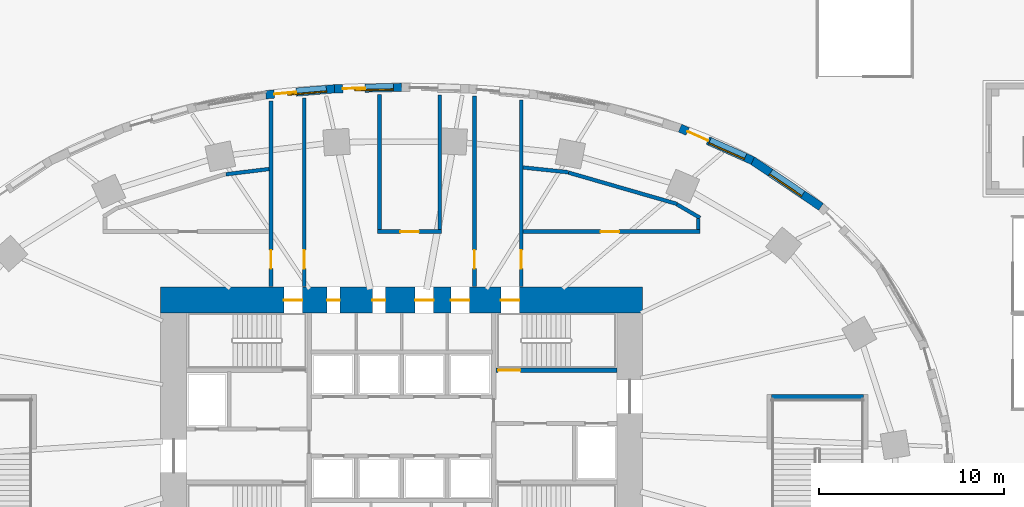
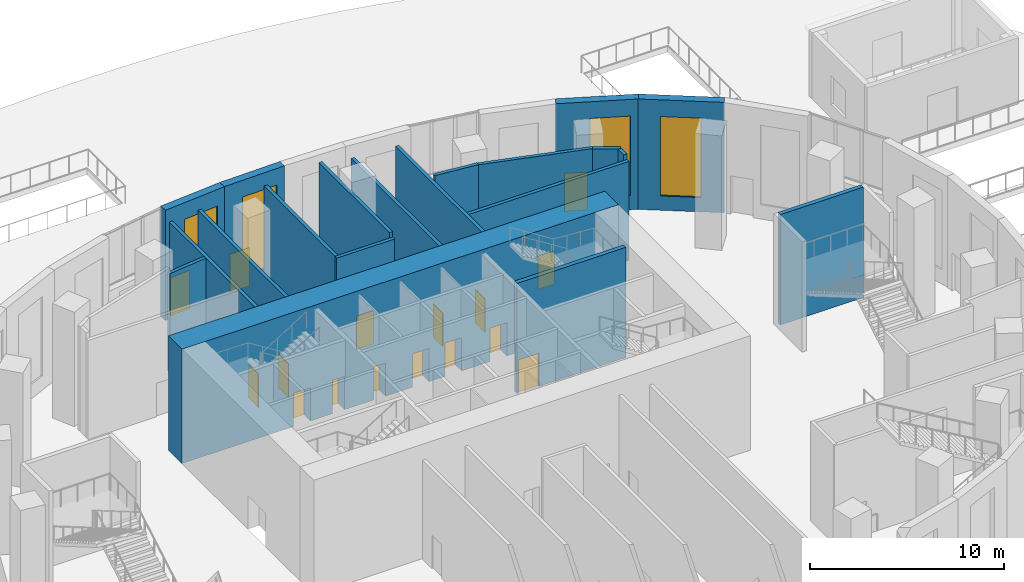
# One storey, part 15 of 27: 20 walls, 16 doors, 4 windows, 20 openings.
"""IFC4 building model written with IfcOpenShell, lengths in metres."""

from ifc_helpers import new_model, si_unit, direction, frame, frame_2d, origin, place, context, subcontext, project, spatial, rectangle, extrude, material, layer, layer_set, type_object, element, fill, save


model = new_model("IFC4")

# Units and contexts
model_context = context("Model", 3, precision=1e-05, world=origin(), true_north=direction((0.0, 1.0)))
body_context = subcontext(model_context, "Body", "Model", "MODEL_VIEW")
ifc_project = project(units=[si_unit("LENGTHUNIT", "METRE"), si_unit("AREAUNIT", "SQUARE_METRE"), si_unit("VOLUMEUNIT", "CUBIC_METRE"), si_unit("PLANEANGLEUNIT", "RADIAN"), si_unit("MASSUNIT", "GRAM", prefix="KILO")], contexts=[model_context])

# Site, building, storey
site_placement = place(None, origin())
site = spatial("IfcSite", under=ifc_project, at=site_placement, CompositionType="ELEMENT")
building_placement = place(site_placement, origin())
building = spatial("IfcBuilding", under=site, at=building_placement, Name="Rubra Terraces Tower", CompositionType="ELEMENT")
storey_placement = place(building_placement, origin())
storey = spatial("IfcBuildingStorey", under=building, at=storey_placement, Name="L00", CompositionType="ELEMENT", Elevation=0.0)

# Wall, opening, window
ifc_material_1 = material(Name="Brick masonry red-brown", Category="masonry")
ifc_layer_1 = layer(ifc_material_1, 0.449951171875)
ifc_layer_set_1 = layer_set([ifc_layer_1], Name="Brick masonry red-brown")
wall_type_1 = type_object("IfcWallType", Name="Brick facade wall 450", PredefinedType="SOLIDWALL", material=ifc_layer_set_1)
wall_1_placement = place(storey_placement, frame((22.61328125, 16.33447265625, 0.0), z_axis=(0.0, 0.0, 1.0), x_axis=(-0.828976924359, 0.559282807604, 0.0)))
wall_1 = element("IfcWall", 1, at=wall_1_placement, inside=storey, type_object=wall_type_1, Name="Facade wall L00 bay 5", PredefinedType="SOLIDWALL", context=body_context, shape_type="SweptSolid", body=[
    extrude(rectangle(XDim=4.479248046875, YDim=0.449951171875, at=frame_2d((2.23974609375, 0.0))), origin(), (0.0, 0.0, 1.0), 6.949951171875),
])
opening_1_placement = place(wall_1_placement, frame((1.189453125, 0.0, 0.89990234375)))
opening_1 = element("IfcOpeningElement", 2, at=opening_1_placement, cuts=wall_1, Name="Opening W2", PredefinedType="OPENING", context=body_context, shape_type="SweptSolid", body=[
    extrude(rectangle(XDim=2.10009765625, YDim=5.0, at=frame_2d((1.050048828125, 2.5))), frame((0.0, 0.23486328125, 0.0), z_axis=(0.0, -1.0, 0.0), x_axis=(1.0, 0.0, 0.0)), (0.0, 0.0, 1.0), 0.469970703125),
])
ifc_material_2 = material(Name="Clear glass in aluminium frame", Category="aluminium")
window_type = type_object("IfcWindowType", Name="Ground storey fixed window 2100 x 5000", PartitioningType="SINGLE_PANEL", PredefinedType="WINDOW", material=ifc_material_2)
window_1_placement = place(opening_1_placement, origin())
window_1 = element("IfcWindow", 3, at=window_1_placement, inside=storey, type_object=window_type, Name="Window L00 bay 5", OverallHeight=5.0, OverallWidth=2.10009765625, PartitioningType="SINGLE_PANEL", PredefinedType="WINDOW", context=body_context, shape_type="SweptSolid", body=[
    extrude(rectangle(XDim=2.10009765625, YDim=5.0, at=frame_2d((1.050048828125, 2.5))), frame((0.0, 0.135009765625, 0.0), z_axis=(0.0, -1.0, 0.0), x_axis=(1.0, 0.0, 0.0)), (0.0, 0.0, 1.0), 0.06005859375),
])
fill(opening_1, window_1)

# Wall, openings, door, window
wall_2_placement = place(storey_placement, frame((18.93408203125, 18.82080078125, 0.0), z_axis=(0.0, 0.0, 1.0), x_axis=(-0.912571415594, 0.408917365052, 0.0)))
wall_2 = element("IfcWall", 4, at=wall_2_placement, inside=storey, type_object=wall_type_1, Name="Facade wall L00 bay 6", PredefinedType="SOLIDWALL", context=body_context, shape_type="SweptSolid", body=[
    extrude(rectangle(XDim=4.301025390625, YDim=0.449951171875, at=frame_2d((2.150390625, 0.0))), origin(), (0.0, 0.0, 1.0), 6.949951171875),
])
opening_2_placement = place(wall_2_placement, frame((0.449951171875, 0.0, 0.89990234375)))
opening_2 = element("IfcOpeningElement", 5, at=opening_2_placement, cuts=wall_2, Name="Opening W2", PredefinedType="OPENING", context=body_context, shape_type="SweptSolid", body=[
    extrude(rectangle(XDim=2.10009765625, YDim=5.0, at=frame_2d((1.050048828125, 2.5))), frame((0.0, 0.23486328125, 0.0), z_axis=(0.0, -1.0, 0.0), x_axis=(1.0, 0.0, 0.0)), (0.0, 0.0, 1.0), 0.469970703125),
])
opening_3_placement = place(wall_2_placement, frame((2.651123046875, 0.0, 0.0)))
opening_3 = element("IfcOpeningElement", 6, at=opening_3_placement, cuts=wall_2, Name="Opening X2.04", PredefinedType="OPENING", context=body_context, shape_type="SweptSolid", body=[
    extrude(rectangle(XDim=1.199951171875, YDim=2.39990234375, at=frame_2d((0.60009765625, 1.199951171875))), frame((0.0, 0.23486328125, 0.0), z_axis=(0.0, -1.0, 0.0), x_axis=(1.0, 0.0, 0.0)), (0.0, 0.0, 1.0), 0.469970703125),
])
ifc_material_3 = material(Name="Glazed aluminium door leaf", Category="aluminium")
door_type_1 = type_object("IfcDoorType", Name="Exit door 1200 x 2400", OperationType="NOTDEFINED", PredefinedType="DOOR", material=ifc_material_3)
door_1_placement = place(opening_3_placement, frame((1.199951171875, 0.0, 0.0), z_axis=(0.0, 0.0, 1.0), x_axis=(-1.0, 0.0, 0.0)))
door_1 = element("IfcDoor", 7, at=door_1_placement, inside=storey, type_object=door_type_1, Name="Exit door 4", OperationType="SINGLE_SWING_RIGHT", OverallHeight=2.39990234375, OverallWidth=1.199951171875, PredefinedType="DOOR", context=body_context, shape_type="SweptSolid", body=[
    extrude(rectangle(XDim=1.199951171875, YDim=2.39990234375, at=frame_2d((0.60009765625, 1.199951171875))), frame((0.0, 0.02490234375, 0.0), z_axis=(0.0, -1.0, 0.0), x_axis=(1.0, 0.0, 0.0)), (0.0, 0.0, 1.0), 0.050048828125),
])
fill(opening_3, door_1)
window_2_placement = place(opening_2_placement, origin())
window_2 = element("IfcWindow", 8, at=window_2_placement, inside=storey, type_object=window_type, Name="Window L00 bay 6", OverallHeight=5.0, OverallWidth=2.10009765625, PartitioningType="SINGLE_PANEL", PredefinedType="WINDOW", context=body_context, shape_type="SweptSolid", body=[
    extrude(rectangle(XDim=2.10009765625, YDim=5.0, at=frame_2d((1.050048828125, 2.5))), frame((0.0, 0.135009765625, 0.0), z_axis=(0.0, -1.0, 0.0), x_axis=(1.0, 0.0, 0.0)), (0.0, 0.0, 1.0), 0.06005859375),
])
fill(opening_2, window_2)

wall_3_placement = place(storey_placement, frame((0.0048828125, 22.77490234375, 0.0), z_axis=(0.0, 0.0, 1.0), x_axis=(-0.999769941673, -0.0214490962, 0.0)))
wall_3 = element("IfcWall", 9, at=wall_3_placement, inside=storey, type_object=wall_type_1, Name="Facade wall L00 bay 11", PredefinedType="SOLIDWALL", context=body_context, shape_type="SweptSolid", body=[
    extrude(rectangle(XDim=3.630859375, YDim=0.449951171875, at=frame_2d((1.8154296875, 0.0))), origin(), (0.0, 0.0, 1.0), 6.949951171875),
])
opening_4_placement = place(wall_3_placement, frame((0.449951171875, 0.0, 0.89990234375)))
opening_4 = element("IfcOpeningElement", 10, at=opening_4_placement, cuts=wall_3, Name="Opening W2", PredefinedType="OPENING", context=body_context, shape_type="SweptSolid", body=[
    extrude(rectangle(XDim=2.10009765625, YDim=5.0, at=frame_2d((1.050048828125, 2.5))), frame((0.0, 0.23486328125, 0.0), z_axis=(0.0, -1.0, 0.0), x_axis=(1.0, 0.0, 0.0)), (0.0, 0.0, 1.0), 0.469970703125),
])
opening_5_placement = place(wall_3_placement, frame((1.980712890625, 0.0, 0.0)))
opening_5 = element("IfcOpeningElement", 11, at=opening_5_placement, cuts=wall_3, Name="Opening X2.06", PredefinedType="OPENING", context=body_context, shape_type="SweptSolid", body=[
    extrude(rectangle(XDim=1.199951171875, YDim=2.39990234375, at=frame_2d((0.60009765625, 1.199951171875))), frame((0.0, 0.23486328125, 0.0), z_axis=(0.0, -1.0, 0.0), x_axis=(1.0, 0.0, 0.0)), (0.0, 0.0, 1.0), 0.469970703125),
])
door_2_placement = place(opening_5_placement, frame((1.199951171875, 0.0, 0.0), z_axis=(0.0, 0.0, 1.0), x_axis=(-1.0, 0.0, 0.0)))
door_2 = element("IfcDoor", 12, at=door_2_placement, inside=storey, type_object=door_type_1, Name="Exit door 6", OperationType="SINGLE_SWING_LEFT", OverallHeight=2.39990234375, OverallWidth=1.199951171875, PredefinedType="DOOR", context=body_context, shape_type="SweptSolid", body=[
    extrude(rectangle(XDim=1.199951171875, YDim=2.39990234375, at=frame_2d((0.60009765625, 1.199951171875))), frame((0.0, 0.02490234375, 0.0), z_axis=(0.0, -1.0, 0.0), x_axis=(1.0, 0.0, 0.0)), (0.0, 0.0, 1.0), 0.050048828125),
])
fill(opening_5, door_2)
window_3_placement = place(opening_4_placement, origin())
window_3 = element("IfcWindow", 13, at=window_3_placement, inside=storey, type_object=window_type, Name="Window L00 bay 11", OverallHeight=5.0, OverallWidth=2.10009765625, PartitioningType="SINGLE_PANEL", PredefinedType="WINDOW", context=body_context, shape_type="SweptSolid", body=[
    extrude(rectangle(XDim=2.10009765625, YDim=5.0, at=frame_2d((1.050048828125, 2.5))), frame((0.0, 0.135009765625, 0.0), z_axis=(0.0, -1.0, 0.0), x_axis=(1.0, 0.0, 0.0)), (0.0, 0.0, 1.0), 0.06005859375),
])
fill(opening_4, window_3)

wall_4_placement = place(storey_placement, frame((-3.610595703125, 22.69775390625, 0.0), z_axis=(0.0, 0.0, 1.0), x_axis=(-0.996259982326, -0.086406293838, 0.0)))
wall_4 = element("IfcWall", 14, at=wall_4_placement, inside=storey, type_object=wall_type_1, Name="Facade wall L00 bay 12", PredefinedType="SOLIDWALL", context=body_context, shape_type="SweptSolid", body=[
    extrude(rectangle(XDim=3.726806640625, YDim=0.449951171875, at=frame_2d((1.86328125, 0.0))), origin(), (0.0, 0.0, 1.0), 6.949951171875),
])
opening_6_placement = place(wall_4_placement, frame((0.449951171875, 0.0, 0.89990234375)))
opening_6 = element("IfcOpeningElement", 15, at=opening_6_placement, cuts=wall_4, Name="Opening W2", PredefinedType="OPENING", context=body_context, shape_type="SweptSolid", body=[
    extrude(rectangle(XDim=2.10009765625, YDim=5.0, at=frame_2d((1.050048828125, 2.5))), frame((0.0, 0.23486328125, 0.0), z_axis=(0.0, -1.0, 0.0), x_axis=(1.0, 0.0, 0.0)), (0.0, 0.0, 1.0), 0.469970703125),
])
opening_7_placement = place(wall_4_placement, frame((2.076904296875, 0.0, 0.0)))
opening_7 = element("IfcOpeningElement", 16, at=opening_7_placement, cuts=wall_4, Name="Opening X2.07", PredefinedType="OPENING", context=body_context, shape_type="SweptSolid", body=[
    extrude(rectangle(XDim=1.199951171875, YDim=2.39990234375, at=frame_2d((0.60009765625, 1.199951171875))), frame((0.0, 0.23486328125, 0.0), z_axis=(0.0, -1.0, 0.0), x_axis=(1.0, 0.0, 0.0)), (0.0, 0.0, 1.0), 0.469970703125),
])
door_3_placement = place(opening_7_placement, frame((1.199951171875, 0.0, 0.0), z_axis=(0.0, 0.0, 1.0), x_axis=(-1.0, 0.0, 0.0)))
door_3 = element("IfcDoor", 17, at=door_3_placement, inside=storey, type_object=door_type_1, Name="Exit door 7", OperationType="SINGLE_SWING_LEFT", OverallHeight=2.39990234375, OverallWidth=1.199951171875, PredefinedType="DOOR", context=body_context, shape_type="SweptSolid", body=[
    extrude(rectangle(XDim=1.199951171875, YDim=2.39990234375, at=frame_2d((0.60009765625, 1.199951171875))), frame((0.0, 0.02490234375, 0.0), z_axis=(0.0, -1.0, 0.0), x_axis=(1.0, 0.0, 0.0)), (0.0, 0.0, 1.0), 0.050048828125),
])
fill(opening_7, door_3)
window_4_placement = place(opening_6_placement, origin())
window_4 = element("IfcWindow", 18, at=window_4_placement, inside=storey, type_object=window_type, Name="Window L00 bay 12", OverallHeight=5.0, OverallWidth=2.10009765625, PartitioningType="SINGLE_PANEL", PredefinedType="WINDOW", context=body_context, shape_type="SweptSolid", body=[
    extrude(rectangle(XDim=2.10009765625, YDim=5.0, at=frame_2d((1.050048828125, 2.5))), frame((0.0, 0.135009765625, 0.0), z_axis=(0.0, -1.0, 0.0), x_axis=(1.0, 0.0, 0.0)), (0.0, 0.0, 1.0), 0.06005859375),
])
fill(opening_6, window_4)

# Wall, openings, doors
ifc_material_4 = material(Name="Concrete C70", Category="concrete")
ifc_layer_2 = layer(ifc_material_4, 1.39990234375)
ifc_layer_set_2 = layer_set([ifc_layer_2], Name="Concrete C70")
wall_type_2 = type_object("IfcWallType", Name="CORE WALL 1400 C70", PredefinedType="SHEAR", material=ifc_layer_set_2)
wall_5_placement = place(storey_placement, frame((-13.0, 11.300048828125, 0.0), z_axis=(0.0, 0.0, 1.0), x_axis=(1.0, 0.0, 0.0)))
wall_5 = element("IfcWall", 19, at=wall_5_placement, inside=storey, type_object=wall_type_2, Name="CORE WALL N L00", PredefinedType="SHEAR", context=body_context, shape_type="SweptSolid", body=[
    extrude(rectangle(XDim=26.0, YDim=1.39990234375, at=frame_2d((13.0, 0.0))), origin(), (0.0, 0.0, 1.0), 7.199951171875),
])
opening_8_placement = place(wall_5_placement, frame((8.97509765625, 0.0, 0.0)))
opening_8 = element("IfcOpeningElement", 20, at=opening_8_placement, cuts=wall_5, Name="Opening L00.C25", PredefinedType="OPENING", context=body_context, shape_type="SweptSolid", body=[
    extrude(rectangle(XDim=0.699951171875, YDim=2.10009765625, at=frame_2d((0.35009765625, 1.050048828125))), frame((0.0, 0.7099609375, 0.0), z_axis=(0.0, -1.0, 0.0), x_axis=(1.0, 0.0, 0.0)), (0.0, 0.0, 1.0), 1.419921875),
])
opening_9_placement = place(wall_5_placement, frame((11.425048828125, 0.0, 0.0)))
opening_9 = element("IfcOpeningElement", 21, at=opening_9_placement, cuts=wall_5, Name="Opening L00.C26", PredefinedType="OPENING", context=body_context, shape_type="SweptSolid", body=[
    extrude(rectangle(XDim=0.699951171875, YDim=2.10009765625, at=frame_2d((0.35009765625, 1.050048828125))), frame((0.0, 0.7099609375, 0.0), z_axis=(0.0, -1.0, 0.0), x_axis=(1.0, 0.0, 0.0)), (0.0, 0.0, 1.0), 1.419921875),
])
opening_10_placement = place(wall_5_placement, frame((13.72509765625, 0.0, 0.0)))
opening_10 = element("IfcOpeningElement", 22, at=opening_10_placement, cuts=wall_5, Name="Opening L00.C27", PredefinedType="OPENING", context=body_context, shape_type="SweptSolid", body=[
    extrude(rectangle(XDim=1.0, YDim=2.10009765625, at=frame_2d((0.5, 1.050048828125))), frame((0.0, 0.7099609375, 0.0), z_axis=(0.0, -1.0, 0.0), x_axis=(1.0, 0.0, 0.0)), (0.0, 0.0, 1.0), 1.419921875),
])
opening_11_placement = place(wall_5_placement, frame((15.64990234375, 0.0, 0.0)))
opening_11 = element("IfcOpeningElement", 23, at=opening_11_placement, cuts=wall_5, Name="Opening L00.C28", PredefinedType="OPENING", context=body_context, shape_type="SweptSolid", body=[
    extrude(rectangle(XDim=1.0, YDim=2.10009765625, at=frame_2d((0.5, 1.050048828125))), frame((0.0, 0.7099609375, 0.0), z_axis=(0.0, -1.0, 0.0), x_axis=(1.0, 0.0, 0.0)), (0.0, 0.0, 1.0), 1.419921875),
])
opening_12_placement = place(wall_5_placement, frame((6.64990234375, 0.0, 0.0)))
opening_12 = element("IfcOpeningElement", 24, at=opening_12_placement, cuts=wall_5, Name="Opening L00.C30", PredefinedType="OPENING", context=body_context, shape_type="SweptSolid", body=[
    extrude(rectangle(XDim=1.0, YDim=2.10009765625, at=frame_2d((0.5, 1.050048828125))), frame((0.0, 0.7099609375, 0.0), z_axis=(0.0, -1.0, 0.0), x_axis=(1.0, 0.0, 0.0)), (0.0, 0.0, 1.0), 1.419921875),
])
opening_13_placement = place(wall_5_placement, frame((18.35009765625, 0.0, 0.0)))
opening_13 = element("IfcOpeningElement", 25, at=opening_13_placement, cuts=wall_5, Name="Opening L00.C31", PredefinedType="OPENING", context=body_context, shape_type="SweptSolid", body=[
    extrude(rectangle(XDim=1.0, YDim=2.10009765625, at=frame_2d((0.5, 1.050048828125))), frame((0.0, 0.7099609375, 0.0), z_axis=(0.0, -1.0, 0.0), x_axis=(1.0, 0.0, 0.0)), (0.0, 0.0, 1.0), 1.419921875),
])
ifc_material_5 = material(Name="Painted steel", Category="steel")
door_type_2 = type_object("IfcDoorType", Name="Fire door 1000x2100 single", OperationType="NOTDEFINED", PredefinedType="DOOR", material=ifc_material_5)
door_4_placement = place(opening_10_placement, origin())
door_4 = element("IfcDoor", 26, at=door_4_placement, inside=storey, type_object=door_type_2, Name="Tea point door", OperationType="SINGLE_SWING_LEFT", OverallHeight=2.10009765625, OverallWidth=1.0, PredefinedType="DOOR", context=body_context, shape_type="SweptSolid", body=[
    extrude(rectangle(XDim=1.0, YDim=2.10009765625, at=frame_2d((0.5, 1.050048828125))), frame((0.0, 0.02490234375, 0.0), z_axis=(0.0, -1.0, 0.0), x_axis=(1.0, 0.0, 0.0)), (0.0, 0.0, 1.0), 0.050048828125),
])
fill(opening_10, door_4)
door_5_placement = place(opening_11_placement, origin())
door_5 = element("IfcDoor", 27, at=door_5_placement, inside=storey, type_object=door_type_2, Name="Refuse room door", OperationType="SINGLE_SWING_RIGHT", OverallHeight=2.10009765625, OverallWidth=1.0, PredefinedType="DOOR", context=body_context, shape_type="SweptSolid", body=[
    extrude(rectangle(XDim=1.0, YDim=2.10009765625, at=frame_2d((0.5, 1.050048828125))), frame((0.0, 0.02490234375, 0.0), z_axis=(0.0, -1.0, 0.0), x_axis=(1.0, 0.0, 0.0)), (0.0, 0.0, 1.0), 0.050048828125),
])
fill(opening_11, door_5)
door_6_placement = place(opening_12_placement, origin())
door_6 = element("IfcDoor", 28, at=door_6_placement, inside=storey, type_object=door_type_2, Name="Stair S2 exit door", OperationType="SINGLE_SWING_RIGHT", OverallHeight=2.10009765625, OverallWidth=1.0, PredefinedType="DOOR", context=body_context, shape_type="SweptSolid", body=[
    extrude(rectangle(XDim=1.0, YDim=2.10009765625, at=frame_2d((0.5, 1.050048828125))), frame((0.0, 0.02490234375, 0.0), z_axis=(0.0, -1.0, 0.0), x_axis=(1.0, 0.0, 0.0)), (0.0, 0.0, 1.0), 0.050048828125),
])
fill(opening_12, door_6)
door_7_placement = place(opening_13_placement, origin())
door_7 = element("IfcDoor", 29, at=door_7_placement, inside=storey, type_object=door_type_2, Name="Stair S3 exit door", OperationType="SINGLE_SWING_LEFT", OverallHeight=2.10009765625, OverallWidth=1.0, PredefinedType="DOOR", context=body_context, shape_type="SweptSolid", body=[
    extrude(rectangle(XDim=1.0, YDim=2.10009765625, at=frame_2d((0.5, 1.050048828125))), frame((0.0, 0.02490234375, 0.0), z_axis=(0.0, -1.0, 0.0), x_axis=(1.0, 0.0, 0.0)), (0.0, 0.0, 1.0), 0.050048828125),
])
fill(opening_13, door_7)
door_type_3 = type_object("IfcDoorType", Name="Riser access door 700x2100 single", OperationType="NOTDEFINED", PredefinedType="DOOR", material=ifc_material_5)
door_8_placement = place(opening_8_placement, origin())
door_8 = element("IfcDoor", 30, at=door_8_placement, inside=storey, type_object=door_type_3, Name="Electrical riser room door", OperationType="SINGLE_SWING_LEFT", OverallHeight=2.10009765625, OverallWidth=0.699951171875, PredefinedType="DOOR", context=body_context, shape_type="SweptSolid", body=[
    extrude(rectangle(XDim=0.699951171875, YDim=2.10009765625, at=frame_2d((0.35009765625, 1.050048828125))), frame((0.0, 0.02490234375, 0.0), z_axis=(0.0, -1.0, 0.0), x_axis=(1.0, 0.0, 0.0)), (0.0, 0.0, 1.0), 0.050048828125),
])
fill(opening_8, door_8)
door_9_placement = place(opening_9_placement, origin())
door_9 = element("IfcDoor", 31, at=door_9_placement, inside=storey, type_object=door_type_3, Name="Telecoms room door", OperationType="SINGLE_SWING_RIGHT", OverallHeight=2.10009765625, OverallWidth=0.699951171875, PredefinedType="DOOR", context=body_context, shape_type="SweptSolid", body=[
    extrude(rectangle(XDim=0.699951171875, YDim=2.10009765625, at=frame_2d((0.35009765625, 1.050048828125))), frame((0.0, 0.02490234375, 0.0), z_axis=(0.0, -1.0, 0.0), x_axis=(1.0, 0.0, 0.0)), (0.0, 0.0, 1.0), 0.050048828125),
])
fill(opening_9, door_9)

# Wall, opening, door
ifc_material_6 = material(Name="Blockwork", Category="masonry")
ifc_layer_3 = layer(ifc_material_6, 0.199951171875)
ifc_layer_set_3 = layer_set([ifc_layer_3], Name="Blockwork")
wall_type_3 = type_object("IfcWallType", Name="Corridor partition 200 blockwork", PredefinedType="PARTITIONING", material=ifc_layer_set_3)
wall_6_placement = place(storey_placement, frame((-7.047119140625, 12.050048828125, 0.0), z_axis=(0.0, 0.0, 1.0), x_axis=(0.0, 1.0, 0.0)))
wall_6 = element("IfcWall", 32, at=wall_6_placement, inside=storey, type_object=wall_type_3, Name="Partition wall", PredefinedType="PARTITIONING", context=body_context, shape_type="SweptSolid", body=[
    extrude(rectangle(XDim=9.97998046875, YDim=0.199951171875, at=frame_2d((4.989990234375, 0.0))), origin(), (0.0, 0.0, 1.0), 6.22998046875),
])
opening_14_placement = place(wall_6_placement, frame((0.949951171875, 0.0, 0.0)))
opening_14 = element("IfcOpeningElement", 33, at=opening_14_placement, cuts=wall_6, Name="Opening DB1", PredefinedType="OPENING", context=body_context, shape_type="SweptSolid", body=[
    extrude(rectangle(XDim=1.0, YDim=2.10009765625, at=frame_2d((0.5, 1.050048828125))), frame((0.0, 0.10986328125, 0.0), z_axis=(0.0, -1.0, 0.0), x_axis=(1.0, 0.0, 0.0)), (0.0, 0.0, 1.0), 0.219970703125),
])
ifc_material_7 = material(Name="Painted timber", Category="wood")
door_type_4 = type_object("IfcDoorType", Name="Door 1000x2100 single", OperationType="NOTDEFINED", PredefinedType="DOOR", material=ifc_material_7)
door_10_placement = place(opening_14_placement, origin())
door_10 = element("IfcDoor", 34, at=door_10_placement, inside=storey, type_object=door_type_4, Name="Door L00-06", OperationType="SINGLE_SWING_LEFT", OverallHeight=2.10009765625, OverallWidth=1.0, PredefinedType="DOOR", context=body_context, shape_type="SweptSolid", body=[
    extrude(rectangle(XDim=1.0, YDim=2.10009765625, at=frame_2d((0.5, 1.050048828125))), frame((0.0, 0.02490234375, 0.0), z_axis=(0.0, -1.0, 0.0), x_axis=(1.0, 0.0, 0.0)), (0.0, 0.0, 1.0), 0.050048828125),
])
fill(opening_14, door_10)

wall_7_placement = place(storey_placement, frame((-5.25, 22.2099609375, 0.0), z_axis=(0.0, 0.0, 1.0), x_axis=(0.0, -1.0, 0.0)))
wall_7 = element("IfcWall", 35, at=wall_7_placement, inside=storey, type_object=wall_type_3, Name="Partition wall", PredefinedType="PARTITIONING", context=body_context, shape_type="SweptSolid", body=[
    extrude(rectangle(XDim=10.159912109375, YDim=0.199951171875, at=frame_2d((5.080078125, 0.0))), origin(), (0.0, 0.0, 1.0), 6.22998046875),
])
opening_15_placement = place(wall_7_placement, frame((8.2099609375, 0.0, 0.0)))
opening_15 = element("IfcOpeningElement", 36, at=opening_15_placement, cuts=wall_7, Name="Opening DB1", PredefinedType="OPENING", context=body_context, shape_type="SweptSolid", body=[
    extrude(rectangle(XDim=1.0, YDim=2.10009765625, at=frame_2d((0.5, 1.050048828125))), frame((0.0, 0.10986328125, 0.0), z_axis=(0.0, -1.0, 0.0), x_axis=(1.0, 0.0, 0.0)), (0.0, 0.0, 1.0), 0.219970703125),
])
door_11_placement = place(opening_15_placement, origin())
door_11 = element("IfcDoor", 37, at=door_11_placement, inside=storey, type_object=door_type_4, Name="Door L00-05", OperationType="SINGLE_SWING_LEFT", OverallHeight=2.10009765625, OverallWidth=1.0, PredefinedType="DOOR", context=body_context, shape_type="SweptSolid", body=[
    extrude(rectangle(XDim=1.0, YDim=2.10009765625, at=frame_2d((0.5, 1.050048828125))), frame((0.0, 0.02490234375, 0.0), z_axis=(0.0, -1.0, 0.0), x_axis=(1.0, 0.0, 0.0)), (0.0, 0.0, 1.0), 0.050048828125),
])
fill(opening_15, door_11)

wall_8_placement = place(storey_placement, frame((3.926025390625, 12.050048828125, 0.0), z_axis=(0.0, 0.0, 1.0), x_axis=(0.0, 1.0, 0.0)))
wall_8 = element("IfcWall", 38, at=wall_8_placement, inside=storey, type_object=wall_type_3, Name="Partition wall", PredefinedType="PARTITIONING", context=body_context, shape_type="SweptSolid", body=[
    extrude(rectangle(XDim=10.251953125, YDim=0.199951171875, at=frame_2d((5.1259765625, 0.0))), origin(), (0.0, 0.0, 1.0), 6.22998046875),
])
opening_16_placement = place(wall_8_placement, frame((0.949951171875, 0.0, 0.0)))
opening_16 = element("IfcOpeningElement", 39, at=opening_16_placement, cuts=wall_8, Name="Opening DB1", PredefinedType="OPENING", context=body_context, shape_type="SweptSolid", body=[
    extrude(rectangle(XDim=1.0, YDim=2.10009765625, at=frame_2d((0.5, 1.050048828125))), frame((0.0, 0.10986328125, 0.0), z_axis=(0.0, -1.0, 0.0), x_axis=(1.0, 0.0, 0.0)), (0.0, 0.0, 1.0), 0.219970703125),
])
door_12_placement = place(opening_16_placement, origin())
door_12 = element("IfcDoor", 40, at=door_12_placement, inside=storey, type_object=door_type_4, Name="Door L00-08", OperationType="SINGLE_SWING_LEFT", OverallHeight=2.10009765625, OverallWidth=1.0, PredefinedType="DOOR", context=body_context, shape_type="SweptSolid", body=[
    extrude(rectangle(XDim=1.0, YDim=2.10009765625, at=frame_2d((0.5, 1.050048828125))), frame((0.0, 0.02490234375, 0.0), z_axis=(0.0, -1.0, 0.0), x_axis=(1.0, 0.0, 0.0)), (0.0, 0.0, 1.0), 0.050048828125),
])
fill(opening_16, door_12)

wall_9_placement = place(storey_placement, frame((6.449951171875, 22.096923828125, 0.0), z_axis=(0.0, 0.0, 1.0), x_axis=(0.0, -1.0, 0.0)))
wall_9 = element("IfcWall", 41, at=wall_9_placement, inside=storey, type_object=wall_type_3, Name="Partition wall", PredefinedType="PARTITIONING", context=body_context, shape_type="SweptSolid", body=[
    extrude(rectangle(XDim=10.046875, YDim=0.199951171875, at=frame_2d((5.0234375, 0.0))), origin(), (0.0, 0.0, 1.0), 6.22998046875),
])
opening_17_placement = place(wall_9_placement, frame((8.096923828125, 0.0, 0.0)))
opening_17 = element("IfcOpeningElement", 42, at=opening_17_placement, cuts=wall_9, Name="Opening DB1", PredefinedType="OPENING", context=body_context, shape_type="SweptSolid", body=[
    extrude(rectangle(XDim=1.0, YDim=2.10009765625, at=frame_2d((0.5, 1.050048828125))), frame((0.0, 0.10986328125, 0.0), z_axis=(0.0, -1.0, 0.0), x_axis=(1.0, 0.0, 0.0)), (0.0, 0.0, 1.0), 0.219970703125),
])
door_13_placement = place(opening_17_placement, origin())
door_13 = element("IfcDoor", 43, at=door_13_placement, inside=storey, type_object=door_type_4, Name="Door L00-07", OperationType="SINGLE_SWING_LEFT", OverallHeight=2.10009765625, OverallWidth=1.0, PredefinedType="DOOR", context=body_context, shape_type="SweptSolid", body=[
    extrude(rectangle(XDim=1.0, YDim=2.10009765625, at=frame_2d((0.5, 1.050048828125))), frame((0.0, 0.02490234375, 0.0), z_axis=(0.0, -1.0, 0.0), x_axis=(1.0, 0.0, 0.0)), (0.0, 0.0, 1.0), 0.050048828125),
])
fill(opening_17, door_13)

wall_10_placement = place(storey_placement, frame((2.14990234375, 15.0, 0.0), z_axis=(0.0, 0.0, 1.0), x_axis=(-1.0, 0.0, 0.0)))
wall_10 = element("IfcWall", 44, at=wall_10_placement, inside=storey, type_object=wall_type_3, Name="Partition wall", PredefinedType="PARTITIONING", context=body_context, shape_type="SweptSolid", body=[
    extrude(rectangle(XDim=3.449951171875, YDim=0.199951171875, at=frame_2d((1.72509765625, 0.0))), origin(), (0.0, 0.0, 1.0), 6.22998046875),
])
opening_18_placement = place(wall_10_placement, frame((1.22509765625, 0.0, 0.0)))
opening_18 = element("IfcOpeningElement", 45, at=opening_18_placement, cuts=wall_10, Name="Opening DB1", PredefinedType="OPENING", context=body_context, shape_type="SweptSolid", body=[
    extrude(rectangle(XDim=1.0, YDim=2.10009765625, at=frame_2d((0.5, 1.050048828125))), frame((0.0, 0.10986328125, 0.0), z_axis=(0.0, -1.0, 0.0), x_axis=(1.0, 0.0, 0.0)), (0.0, 0.0, 1.0), 0.219970703125),
])
door_14_placement = place(opening_18_placement, origin())
door_14 = element("IfcDoor", 46, at=door_14_placement, inside=storey, type_object=door_type_4, Name="Plant room door L00-16", OperationType="SINGLE_SWING_LEFT", OverallHeight=2.10009765625, OverallWidth=1.0, PredefinedType="DOOR", context=body_context, shape_type="SweptSolid", body=[
    extrude(rectangle(XDim=1.0, YDim=2.10009765625, at=frame_2d((0.5, 1.050048828125))), frame((0.0, 0.02490234375, 0.0), z_axis=(0.0, -1.0, 0.0), x_axis=(1.0, 0.0, 0.0)), (0.0, 0.0, 1.0), 0.050048828125),
])
fill(opening_18, door_14)

# Walls
wall_11_placement = place(storey_placement, frame((-1.199951171875, 15.10009765625, 0.0), z_axis=(0.0, 0.0, 1.0), x_axis=(0.0, 1.0, 0.0)))
element("IfcWall", 47, at=wall_11_placement, inside=storey, type_object=wall_type_3, Name="Partition wall", PredefinedType="PARTITIONING", context=body_context, shape_type="SweptSolid", body=[
    extrude(rectangle(XDim=7.2939453125, YDim=0.199951171875, at=frame_2d((3.64697265625, 0.0))), origin(), (0.0, 0.0, 1.0), 6.22998046875),
])
wall_12_placement = place(storey_placement, frame((-9.468994140625, 18.089111328125, 0.0), z_axis=(0.0, 0.0, 1.0), x_axis=(0.992662990312, 0.120913968027, 0.0)))
element("IfcWall", 48, at=wall_12_placement, inside=storey, type_object=wall_type_3, Name="Partition wall", PredefinedType="PARTITIONING", context=body_context, shape_type="SweptSolid", body=[
    extrude(rectangle(XDim=2.340087890625, YDim=0.199951171875, at=frame_2d((1.169921875, 0.0))), origin(), (0.0, 0.0, 1.0), 6.22998046875),
])

# Wall, opening, door
wall_13_placement = place(storey_placement, frame((16.10009765625, 15.0, 0.0), z_axis=(0.0, 0.0, 1.0), x_axis=(-1.0, 0.0, 0.0)))
wall_13 = element("IfcWall", 49, at=wall_13_placement, inside=storey, type_object=wall_type_3, Name="Partition wall", PredefinedType="PARTITIONING", context=body_context, shape_type="SweptSolid", body=[
    extrude(rectangle(XDim=9.550048828125, YDim=0.199951171875, at=frame_2d((4.77490234375, 0.0))), origin(), (0.0, 0.0, 1.0), 6.22998046875),
])
opening_19_placement = place(wall_13_placement, frame((4.375, 0.0, 0.0)))
opening_19 = element("IfcOpeningElement", 50, at=opening_19_placement, cuts=wall_13, Name="Opening DB1", PredefinedType="OPENING", context=body_context, shape_type="SweptSolid", body=[
    extrude(rectangle(XDim=1.0, YDim=2.10009765625, at=frame_2d((0.5, 1.050048828125))), frame((0.0, 0.10986328125, 0.0), z_axis=(0.0, -1.0, 0.0), x_axis=(1.0, 0.0, 0.0)), (0.0, 0.0, 1.0), 0.219970703125),
])
door_15_placement = place(opening_19_placement, origin())
door_15 = element("IfcDoor", 51, at=door_15_placement, inside=storey, type_object=door_type_4, Name="Door L00-18", OperationType="SINGLE_SWING_LEFT", OverallHeight=2.10009765625, OverallWidth=1.0, PredefinedType="DOOR", context=body_context, shape_type="SweptSolid", body=[
    extrude(rectangle(XDim=1.0, YDim=2.10009765625, at=frame_2d((0.5, 1.050048828125))), frame((0.0, 0.02490234375, 0.0), z_axis=(0.0, -1.0, 0.0), x_axis=(1.0, 0.0, 0.0)), (0.0, 0.0, 1.0), 0.050048828125),
])
fill(opening_19, door_15)

# Walls
ifc_layer_4 = layer(ifc_material_6, 0.199951171875)
ifc_layer_set_4 = layer_set([ifc_layer_4], Name="Blockwork")
wall_type_4 = type_object("IfcWallType", Name="Room partition 200 blockwork", PredefinedType="PARTITIONING", material=ifc_layer_set_4)
wall_14_placement = place(storey_placement, frame((2.050048828125, 22.376953125, 0.0), z_axis=(0.0, 0.0, 1.0), x_axis=(0.0, -1.0, 0.0)))
element("IfcWall", 52, at=wall_14_placement, inside=storey, type_object=wall_type_4, Name="Partition wall", PredefinedType="PARTITIONING", context=body_context, shape_type="SweptSolid", body=[
    extrude(rectangle(XDim=7.27685546875, YDim=0.199951171875, at=frame_2d((3.638427734375, 0.0))), origin(), (0.0, 0.0, 1.0), 6.580078125),
])
wall_15_placement = place(storey_placement, frame((6.549072265625, 18.455078125, 0.0), z_axis=(0.0, 0.0, 1.0), x_axis=(0.994502738507, -0.104710568244, 0.0)))
element("IfcWall", 53, at=wall_15_placement, inside=storey, type_object=wall_type_4, Name="Partition wall", PredefinedType="PARTITIONING", context=body_context, shape_type="SweptSolid", body=[
    extrude(rectangle(XDim=2.46435546875, YDim=0.199951171875, at=frame_2d((1.232177734375, 0.0))), origin(), (0.0, 0.0, 1.0), 6.580078125),
])
wall_16_placement = place(storey_placement, frame((8.9970703125, 18.178955078125, 0.0), z_axis=(0.0, 0.0, 1.0), x_axis=(0.960743591904, -0.277437831982, 0.0)))
element("IfcWall", 54, at=wall_16_placement, inside=storey, type_object=wall_type_4, Name="Partition wall", PredefinedType="PARTITIONING", context=body_context, shape_type="SweptSolid", body=[
    extrude(rectangle(XDim=6.098388671875, YDim=0.199951171875, at=frame_2d((3.04931640625, 0.0))), origin(), (0.0, 0.0, 1.0), 6.580078125),
])
wall_17_placement = place(storey_placement, frame((14.845947265625, 16.465087890625, 0.0), z_axis=(0.0, 0.0, 1.0), x_axis=(0.863834413875, -0.503775848375, 0.0)))
element("IfcWall", 55, at=wall_17_placement, inside=storey, type_object=wall_type_4, Name="Partition wall", PredefinedType="PARTITIONING", context=body_context, shape_type="SweptSolid", body=[
    extrude(rectangle(XDim=1.435546875, YDim=0.199951171875, at=frame_2d((0.7177734375, 0.0))), origin(), (0.0, 0.0, 1.0), 6.580078125),
])
wall_18_placement = place(storey_placement, frame((16.0, 15.69189453125, 0.0), z_axis=(0.0, 0.0, 1.0), x_axis=(0.0, -1.0, 0.0)))
element("IfcWall", 56, at=wall_18_placement, inside=storey, type_object=wall_type_4, Name="Partition wall", PredefinedType="PARTITIONING", context=body_context, shape_type="SweptSolid", body=[
    extrude(rectangle(XDim=0.591796875, YDim=0.199951171875, at=frame_2d((0.2958984375, 0.0))), origin(), (0.0, 0.0, 1.0), 6.580078125),
])

# Wall, opening, door
ifc_material_8 = material(Name="Concrete C40", Category="concrete")
ifc_layer_5 = layer(ifc_material_8, 0.25)
ifc_layer_set_5 = layer_set([ifc_layer_5], Name="Concrete C40")
wall_type_5 = type_object("IfcWallType", Name="Stair enclosure wall 250 concrete", PredefinedType="SOLIDWALL", material=ifc_layer_set_5)
wall_19_placement = place(storey_placement, frame((11.60009765625, 7.52490234375, 0.0), z_axis=(0.0, 0.0, 1.0), x_axis=(-1.0, 0.0, 0.0)))
wall_19 = element("IfcWall", 57, at=wall_19_placement, inside=storey, type_object=wall_type_5, Name="STAIR WALL L00", PredefinedType="SOLIDWALL", context=body_context, shape_type="SweptSolid", body=[
    extrude(rectangle(XDim=6.5, YDim=0.25, at=frame_2d((3.25, 0.0))), origin(), (0.0, 0.0, 1.0), 6.949951171875),
])
opening_20_placement = place(wall_19_placement, frame((5.199951171875, 0.0, 0.0)))
opening_20 = element("IfcOpeningElement", 58, at=opening_20_placement, cuts=wall_19, Name="Opening L00.C08", PredefinedType="OPENING", context=body_context, shape_type="SweptSolid", body=[
    extrude(rectangle(XDim=1.199951171875, YDim=2.10009765625, at=frame_2d((0.60009765625, 1.050048828125))), frame((0.0, 0.135009765625, 0.0), z_axis=(0.0, -1.0, 0.0), x_axis=(1.0, 0.0, 0.0)), (0.0, 0.0, 1.0), 0.27001953125),
])
door_type_5 = type_object("IfcDoorType", Name="Fire door 1200x2100 single", OperationType="NOTDEFINED", PredefinedType="DOOR", material=ifc_material_5)
door_16_placement = place(opening_20_placement, origin())
door_16 = element("IfcDoor", 59, at=door_16_placement, inside=storey, type_object=door_type_5, Name="Stair door S3", OperationType="SINGLE_SWING_RIGHT", OverallHeight=2.10009765625, OverallWidth=1.199951171875, PredefinedType="DOOR", context=body_context, shape_type="SweptSolid", body=[
    extrude(rectangle(XDim=1.199951171875, YDim=2.10009765625, at=frame_2d((0.60009765625, 1.050048828125))), frame((0.0, 0.02490234375, 0.0), z_axis=(0.0, -1.0, 0.0), x_axis=(1.0, 0.0, 0.0)), (0.0, 0.0, 1.0), 0.050048828125),
])
fill(opening_20, door_16)

# Wall
ifc_material_9 = material(Name="Concrete C40/50", Category="concrete")
ifc_layer_6 = layer(ifc_material_9, 0.25)
ifc_layer_set_6 = layer_set([ifc_layer_6], Name="Concrete C40/50")
wall_type_6 = type_object("IfcWallType", Name="Stair end wall 250 concrete", PredefinedType="SOLIDWALL", material=ifc_layer_set_6)
wall_20_placement = place(storey_placement, frame((24.89990234375, 6.0849609375, 0.0), z_axis=(0.0, 0.0, 1.0), x_axis=(-1.0, 0.0, 0.0)))
element("IfcWall", 60, at=wall_20_placement, inside=storey, type_object=wall_type_6, Name="Stair end wall", PredefinedType="SOLIDWALL", context=body_context, shape_type="SweptSolid", body=[
    extrude(rectangle(XDim=4.949951171875, YDim=0.25, at=frame_2d((2.47509765625, 0.0))), origin(), (0.0, 0.0, 1.0), 6.949951171875),
])

save(model, "model.ifc")
